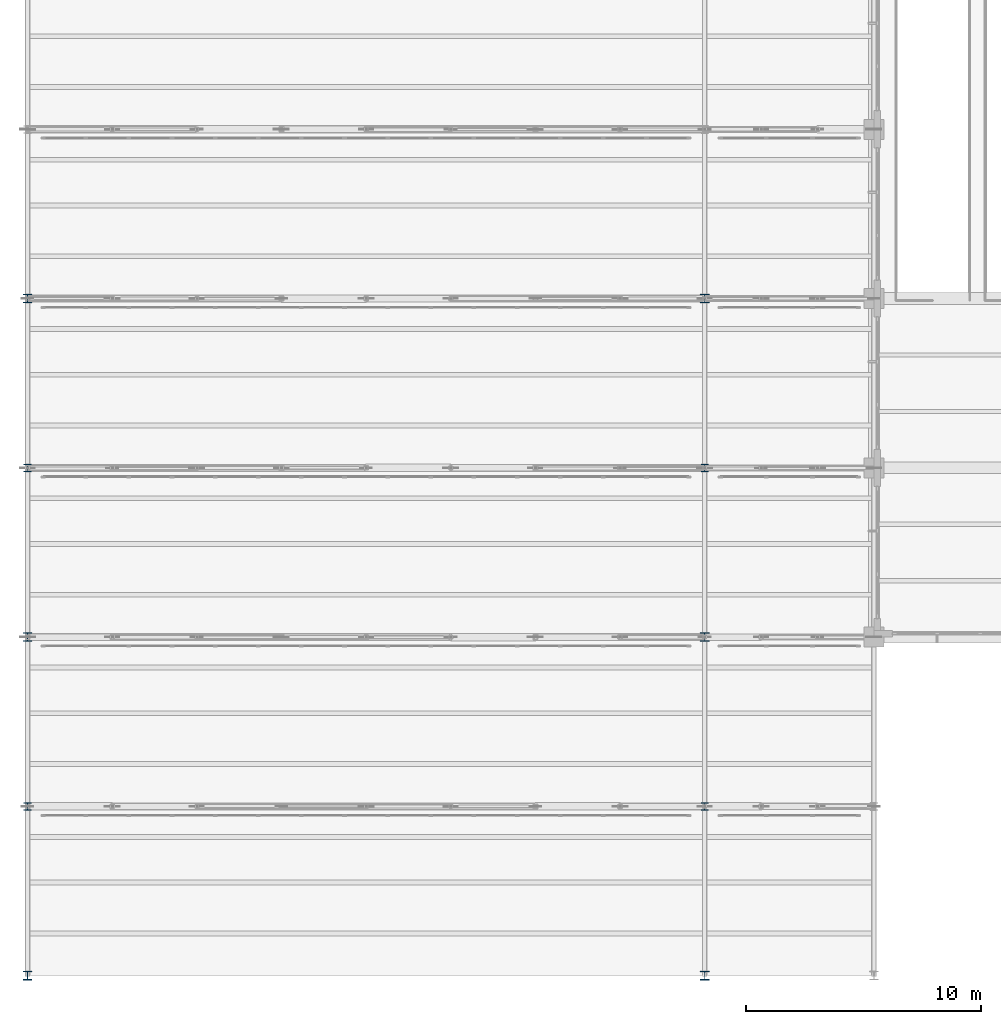
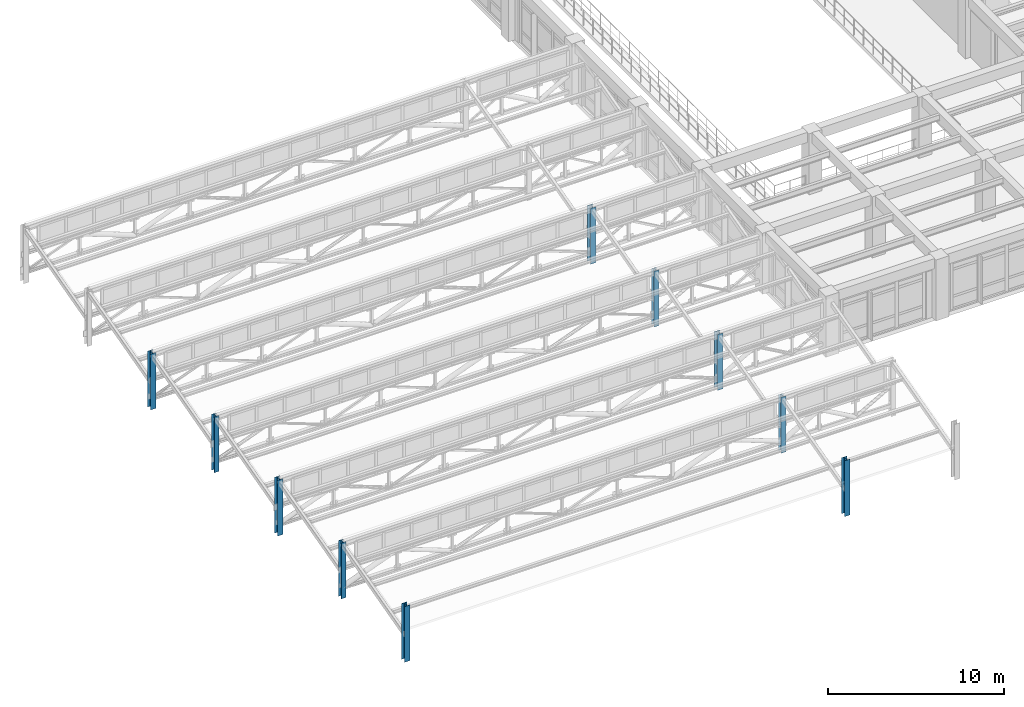
# One storey, part 1 of 98: 10 columns.
"""IFC4 building model written with IfcOpenShell, lengths in metres."""

from ifc_helpers import new_model, si_unit, direction, frame, origin, origin_2d, place, context, subcontext, project, spatial, i_section, extrude, material, material_profile, profile_set, type_object, element, save


model = new_model("IFC4")

# Units and contexts
model_context = context("Model", 3, precision=1e-05, world=origin(), true_north=direction((0.0, 1.0)))
body_context = subcontext(model_context, "Body", "Model", "MODEL_VIEW")
ifc_project = project(units=[si_unit("LENGTHUNIT", "METRE"), si_unit("AREAUNIT", "SQUARE_METRE"), si_unit("VOLUMEUNIT", "CUBIC_METRE"), si_unit("PLANEANGLEUNIT", "RADIAN"), si_unit("MASSUNIT", "GRAM", prefix="KILO")], contexts=[model_context])

# Site, building, storey
site_placement = place(None, origin())
site = spatial("IfcSite", under=ifc_project, at=site_placement, CompositionType="ELEMENT")
building_placement = place(site_placement, origin())
building = spatial("IfcBuilding", under=site, at=building_placement, Name="Solenvale Faculty of Natural Sciences", CompositionType="ELEMENT")
storey_placement = place(building_placement, frame((0.0, 0.0, 9.0)))
storey = spatial("IfcBuildingStorey", under=building, at=storey_placement, Name="L02", CompositionType="ELEMENT", Elevation=9.0)

# Columns
ifc_material = material(Name="Steel S355", Category="steel")
ifc_material_profile_1 = material_profile(ifc_material, i_section(OverallWidth=0.30810546875, OverallDepth=0.318115234375, WebThickness=0.01318359375, FlangeThickness=0.0205078125, FilletRadius=0.014892578125, at=origin_2d()), Name="W310x129")
ifc_profile_set_1 = profile_set([ifc_material_profile_1], Name="Steel S355")
column_type_1 = type_object("IfcColumnType", Name="COL-STL-W310x129", PredefinedType="COLUMN", material=ifc_profile_set_1)
for number, where, z_axis, x_axis, name in (
    (1, (0.0, 7.199951171875, 0.0), (0.0, 0.0, 1.0), (1.0, 0.0, 0.0), "V1 Sawtooth Monitor Column 2 X0"),
    (2, (28.800048828125, 7.199951171875, 0.0), (0.0, 0.0, 1.0), (1.0, 0.0, 0.0), "V1 Sawtooth Monitor Column 2 X29"),
    (3, (0.0, 21.60009765625, 0.0), (0.0, 0.0, 1.0), (1.0, 0.0, 0.0), "V1 Sawtooth Monitor Column 4 X0"),
    (4, (28.800048828125, 21.60009765625, 0.0), (0.0, 0.0, 1.0), (1.0, 0.0, 0.0), "V1 Sawtooth Monitor Column 4 X29"),
):
    element("IfcColumn", number, at=place(storey_placement, frame(where, z_axis=z_axis, x_axis=x_axis)), inside=storey, type_object=column_type_1, Name=name, PredefinedType="COLUMN", context=body_context, shape_type="SweptSolid", body=[
        extrude(i_section(OverallWidth=0.30810546875, OverallDepth=0.318115234375, WebThickness=0.01318359375, FlangeThickness=0.0205078125, FilletRadius=0.014892578125, at=origin_2d()), origin(), (0.0, 0.0, 1.0), 3.860107421875),
    ])
ifc_material_profile_2 = material_profile(ifc_material, i_section(OverallWidth=0.37109375, OverallDepth=0.364013671875, WebThickness=0.01318359375, FlangeThickness=0.021728515625, FilletRadius=0.02197265625, at=origin_2d()), Name="W360x162")
ifc_profile_set_2 = profile_set([ifc_material_profile_2], Name="Steel S355")
column_type_2 = type_object("IfcColumnType", Name="COL-STL-W360x162", PredefinedType="COLUMN", material=ifc_profile_set_2)
for number, where, z_axis, x_axis, name in (
    (5, (0.0, 0.0, 0.0), (0.0, 0.0, 1.0), (1.0, 0.0, 0.0), "V1 Sawtooth Monitor Column 1 X0"),
    (6, (28.800048828125, 0.0, 0.0), (0.0, 0.0, 1.0), (1.0, 0.0, 0.0), "V1 Sawtooth Monitor Column 1 X29"),
    (7, (0.0, 14.39990234375, 0.0), (0.0, 0.0, 1.0), (1.0, 0.0, 0.0), "V1 Sawtooth Monitor Column 3 X0"),
    (8, (28.800048828125, 14.39990234375, 0.0), (0.0, 0.0, 1.0), (1.0, 0.0, 0.0), "V1 Sawtooth Monitor Column 3 X29"),
    (9, (0.0, 28.800048828125, 0.0), (0.0, 0.0, 1.0), (1.0, 0.0, 0.0), "V1 Sawtooth Monitor Column 5 X0"),
    (10, (28.800048828125, 28.800048828125, 0.0), (0.0, 0.0, 1.0), (1.0, 0.0, 0.0), "V1 Sawtooth Monitor Column 5 X29"),
):
    element("IfcColumn", number, at=place(storey_placement, frame(where, z_axis=z_axis, x_axis=x_axis)), inside=storey, type_object=column_type_2, Name=name, PredefinedType="COLUMN", context=body_context, shape_type="SweptSolid", body=[
        extrude(i_section(OverallWidth=0.37109375, OverallDepth=0.364013671875, WebThickness=0.01318359375, FlangeThickness=0.021728515625, FilletRadius=0.02197265625, at=origin_2d()), origin(), (0.0, 0.0, 1.0), 3.860107421875),
    ])

save(model, "model.ifc")
